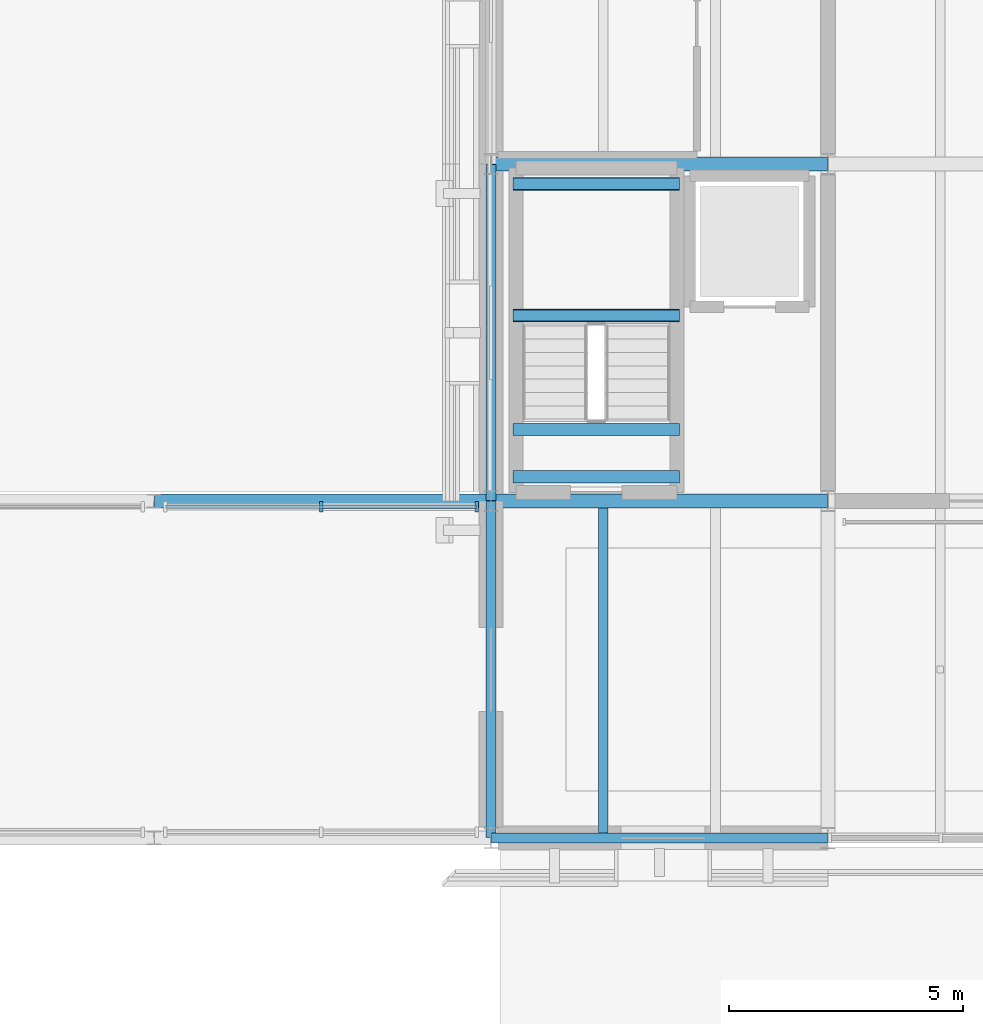
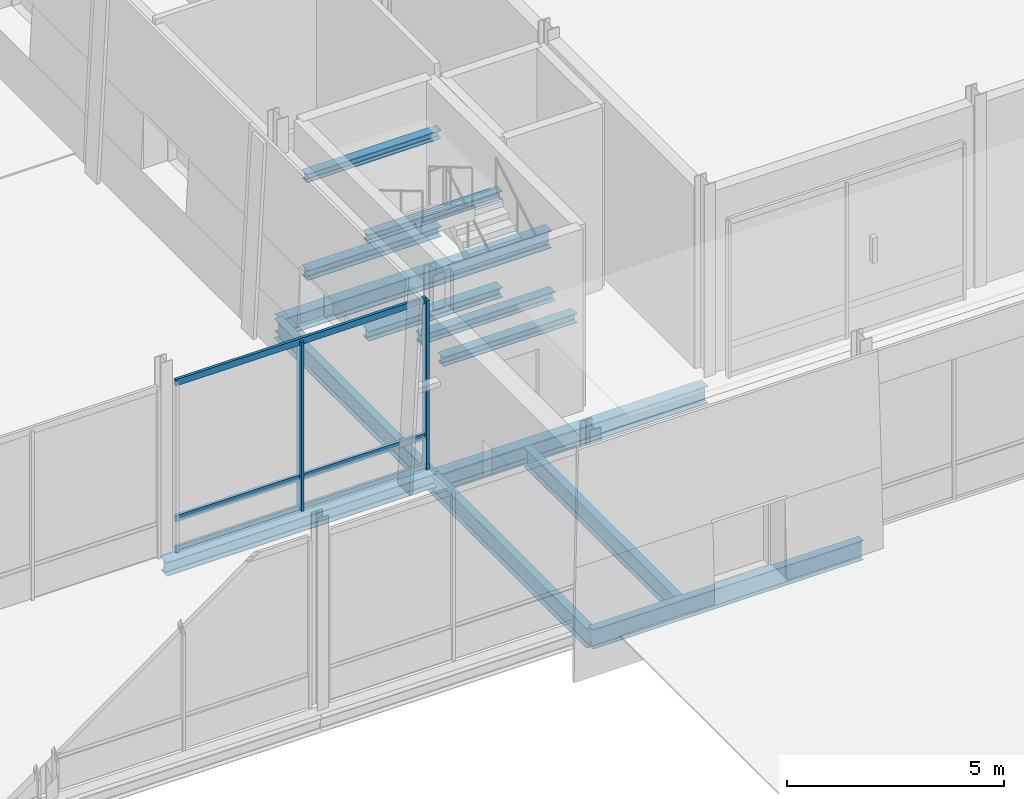
# One storey, part 36 of 120: 13 beams, 5 members, 1 element without a shape of its own.
"""IFC4 building model written with IfcOpenShell, lengths in metres."""

from ifc_helpers import new_model, si_unit, direction, frame, origin, origin_2d, place, context, subcontext, project, spatial, rectangle, i_section, extrude, material, layer, layer_set, material_profile, profile_set, type_object, element, aggregate, save


model = new_model("IFC4")

# Units and contexts
model_context = context("Model", 3, precision=1e-05, world=origin(), true_north=direction((0.0, 1.0)))
body_context = subcontext(model_context, "Body", "Model", "MODEL_VIEW")
ifc_project = project(units=[si_unit("LENGTHUNIT", "METRE"), si_unit("AREAUNIT", "SQUARE_METRE"), si_unit("VOLUMEUNIT", "CUBIC_METRE"), si_unit("PLANEANGLEUNIT", "RADIAN"), si_unit("MASSUNIT", "GRAM", prefix="KILO")], contexts=[model_context])

# Site, building, storey
site_placement = place(None, origin())
site = spatial("IfcSite", under=ifc_project, at=site_placement, CompositionType="ELEMENT")
building_placement = place(site_placement, origin())
building = spatial("IfcBuilding", under=site, at=building_placement, Name="Narikvali Park Central Library", CompositionType="ELEMENT")
storey_placement = place(building_placement, origin())
storey = spatial("IfcBuildingStorey", under=building, at=storey_placement, Name="L00", CompositionType="ELEMENT", Elevation=0.0)

# Beams
ifc_material_1 = material(Name="Steel S355", Category="steel")
ifc_material_profile_1 = material_profile(ifc_material_1, i_section(OverallWidth=0.2099609375, OverallDepth=0.550048828125, WebThickness=0.010986328125, FlangeThickness=0.01708984375, FilletRadius=0.02392578125, at=origin_2d()), Name="IPE 550")
ifc_profile_set_1 = profile_set([ifc_material_profile_1], Name="Steel S355")
beam_type_1 = type_object("IfcBeamType", Name="Assembly Floor Joist IPE550", PredefinedType="JOIST", material=ifc_profile_set_1)
beam_1_placement = place(storey_placement, frame((124.800048828125, 79.304931640625, -0.594970703125), z_axis=(0.0, 1.0, 0.0), x_axis=(-1.0, 0.0, 0.0)))
element("IfcBeam", 1, at=beam_1_placement, inside=storey, type_object=beam_type_1, Name="V3 L00 Composite Joist 1", PredefinedType="JOIST", context=body_context, shape_type="SweptSolid", body=[
    extrude(i_section(OverallWidth=0.2099609375, OverallDepth=0.550048828125, WebThickness=0.010986328125, FlangeThickness=0.01708984375, FilletRadius=0.02392578125, at=origin_2d()), origin(), (0.0, 0.0, 1.0), 6.945068359375),
])
ifc_material_profile_2 = material_profile(ifc_material_1, i_section(OverallWidth=0.300048828125, OverallDepth=0.389892578125, WebThickness=0.010986328125, FlangeThickness=0.01904296875, FilletRadius=0.027099609375, at=origin_2d()), Name="HEA 400")
ifc_profile_set_2 = profile_set([ifc_material_profile_2], Name="Steel S355")
beam_type_2 = type_object("IfcBeamType", Name="Colonnade Bridge Girder HEA400", PredefinedType="BEAM", material=ifc_profile_set_2)
beam_2_placement = place(storey_placement, frame((115.2099609375, 86.39990234375, -0.445068359375), z_axis=(1.0, 0.0, 0.0), x_axis=(0.0, 1.0, 0.0)))
element("IfcBeam", 2, at=beam_2_placement, inside=storey, type_object=beam_type_2, Name="BRG-3 L00 Sliding Bridge Girder 2-3", PredefinedType="BEAM", context=body_context, shape_type="SweptSolid", body=[
    extrude(i_section(OverallWidth=0.300048828125, OverallDepth=0.389892578125, WebThickness=0.010986328125, FlangeThickness=0.01904296875, FilletRadius=0.027099609375, at=origin_2d()), origin(), (0.0, 0.0, 1.0), 7.179931640625),
])
ifc_material_profile_3 = material_profile(ifc_material_1, i_section(OverallWidth=0.239990234375, OverallDepth=0.239990234375, WebThickness=0.010009765625, FlangeThickness=0.01708984375, FilletRadius=0.02099609375, at=origin_2d()), Name="HEB 240")
ifc_profile_set_3 = profile_set([ifc_material_profile_3], Name="Steel S355")
beam_type_3 = type_object("IfcBeamType", Name="Core Trimmer Girder HEB240", PredefinedType="BEAM", material=ifc_profile_set_3)
for number, where, z_axis, x_axis, name in (
    (3, (122.8701171875, 90.364990234375, 3.72998046875), (1.0, 0.0, 0.0), (0.0, 1.0, 0.0), "ST-05 L00 Landing Trimmer Beam 3-1"),
    (4, (122.8701171875, 93.179931640625, 3.72998046875), (1.0, 0.0, 0.0), (0.0, 1.0, 0.0), "ST-05 L00 Landing Trimmer Beam 3-2"),
):
    element("IfcBeam", number, at=place(storey_placement, frame(where, z_axis=z_axis, x_axis=x_axis)), inside=storey, type_object=beam_type_3, Name=name, PredefinedType="BEAM", context=body_context, shape_type="SweptSolid", body=[
        extrude(i_section(OverallWidth=0.239990234375, OverallDepth=0.239990234375, WebThickness=0.010009765625, FlangeThickness=0.01708984375, FilletRadius=0.02099609375, at=origin_2d()), origin(), (0.0, 0.0, 1.0), 3.559814453125),
    ])
ifc_material_profile_4 = material_profile(ifc_material_1, i_section(OverallWidth=0.260009765625, OverallDepth=0.260009765625, WebThickness=0.010009765625, FlangeThickness=0.017578125, FilletRadius=0.02392578125, at=origin_2d()), Name="HEB 260")
ifc_profile_set_4 = profile_set([ifc_material_profile_4], Name="Steel S355")
beam_type_4 = type_object("IfcBeamType", Name="Core Trimmer Girder HEB260", PredefinedType="BEAM", material=ifc_profile_set_4)
for number, where, z_axis, x_axis, name in (
    (5, (122.8701171875, 86.919921875, 2.3701171875), (1.0, 0.0, 0.0), (0.0, 1.0, 0.0), "ST-05 L00 Landing Trimmer Beam 2-1"),
    (6, (122.8701171875, 87.929931640625, 2.3701171875), (1.0, 0.0, 0.0), (0.0, 1.0, 0.0), "ST-05 L00 Landing Trimmer Beam 2-2"),
):
    element("IfcBeam", number, at=place(storey_placement, frame(where, z_axis=z_axis, x_axis=x_axis)), inside=storey, type_object=beam_type_4, Name=name, PredefinedType="BEAM", context=body_context, shape_type="SweptSolid", body=[
        extrude(i_section(OverallWidth=0.260009765625, OverallDepth=0.260009765625, WebThickness=0.010009765625, FlangeThickness=0.017578125, FilletRadius=0.02392578125, at=origin_2d()), origin(), (0.0, 0.0, 1.0), 3.559814453125),
    ])
ifc_material_profile_5 = material_profile(ifc_material_1, i_section(OverallWidth=0.280029296875, OverallDepth=0.280029296875, WebThickness=0.010498046875, FlangeThickness=0.01806640625, FilletRadius=0.02392578125, at=origin_2d()), Name="HEB 280")
ifc_profile_set_5 = profile_set([ifc_material_profile_5], Name="Steel S355")
beam_type_5 = type_object("IfcBeamType", Name="Core Trimmer Girder HEB280", PredefinedType="BEAM", material=ifc_profile_set_5)
for number, where, z_axis, x_axis, name in (
    (7, (122.8701171875, 90.364990234375, 1.010009765625), (1.0, 0.0, 0.0), (0.0, 1.0, 0.0), "ST-05 L00 Landing Trimmer Beam 1-1"),
    (8, (122.8701171875, 93.179931640625, 1.010009765625), (1.0, 0.0, 0.0), (0.0, 1.0, 0.0), "ST-05 L00 Landing Trimmer Beam 1-2"),
):
    element("IfcBeam", number, at=place(storey_placement, frame(where, z_axis=z_axis, x_axis=x_axis)), inside=storey, type_object=beam_type_5, Name=name, PredefinedType="BEAM", context=body_context, shape_type="SweptSolid", body=[
        extrude(i_section(OverallWidth=0.280029296875, OverallDepth=0.280029296875, WebThickness=0.010498046875, FlangeThickness=0.01806640625, FilletRadius=0.02392578125, at=origin_2d()), origin(), (0.0, 0.0, 1.0), 3.559814453125),
    ])

# Curtain wall, members
ifc_material_2 = material(Name="Anodised Bronze Aluminium", Category="aluminium")
ifc_layer = layer(ifc_material_2, 0.219970703125, Name="Anodised Bronze Aluminium")
ifc_layer_set = layer_set([ifc_layer], Name="Anodised Bronze Aluminium")
curtain_wall_type = type_object("IfcCurtainWallType", Name="Bridge Covered Passage Glazing System", PredefinedType="NOTDEFINED", material=ifc_layer_set)
curtain_wall_placement = place(storey_placement, origin())
curtain_wall = element("IfcCurtainWall", 9, at=curtain_wall_placement, inside=storey, type_object=curtain_wall_type, Name="Bridge Covered Passage Glazing System CW-BRG-3-L00-N3", PredefinedType="NOTDEFINED")
ifc_material_profile_6 = material_profile(ifc_material_2, rectangle(XDim=0.074951171875, YDim=0.219970703125, at=origin_2d()), Name="CW MULLION 75x220")
ifc_profile_set_6 = profile_set([ifc_material_profile_6], Name="Anodised Bronze Aluminium")
member_type_1 = type_object("IfcMemberType", Name="Curtain Wall Heavy Mullion 75x220", PredefinedType="MULLION", material=ifc_profile_set_6)
member_1_placement = place(storey_placement, frame((118.77001953125, 86.280029296875, -0.010009765625), z_axis=(0.0, 0.0, 1.0), x_axis=(1.0, 0.0, 0.0)))
member_1 = element("IfcMember", 10, at=member_1_placement, type_object=member_type_1, Name="CW-BRG-3-L00-N3 Mullion 01", PredefinedType="MULLION", context=body_context, shape_type="SweptSolid", body=[
    extrude(rectangle(XDim=0.074951171875, YDim=0.219970703125, at=origin_2d()), origin(), (0.0, 0.0, 1.0), 4.760009765625),
])
member_2_placement = place(storey_placement, frame((122.10009765625, 86.280029296875, -0.010009765625), z_axis=(0.0, 0.0, 1.0), x_axis=(1.0, 0.0, 0.0)))
member_2 = element("IfcMember", 11, at=member_2_placement, type_object=member_type_1, Name="CW-BRG-3-L00-N3 Mullion 02", PredefinedType="MULLION", context=body_context, shape_type="SweptSolid", body=[
    extrude(rectangle(XDim=0.074951171875, YDim=0.219970703125, at=origin_2d()), origin(), (0.0, 0.0, 1.0), 4.760009765625),
])
ifc_material_profile_7 = material_profile(ifc_material_2, rectangle(XDim=0.074951171875, YDim=0.179931640625, at=origin_2d()), Name="CW TRANSOM 75x180")
ifc_profile_set_7 = profile_set([ifc_material_profile_7], Name="Anodised Bronze Aluminium")
member_type_2 = type_object("IfcMemberType", Name="Curtain Wall Heavy Transom 75x180", PredefinedType="USERDEFINED", material=ifc_profile_set_7)
member_3_placement = place(storey_placement, frame((115.43994140625, 86.280029296875, 0.030029296875), z_axis=(1.0, 0.0, 0.0), x_axis=(0.0, 1.0, 0.0)))
member_3 = element("IfcMember", 12, at=member_3_placement, type_object=member_type_2, Name="CW-BRG-3-L00-N3 Transom 00", ObjectType="TRANSOM", PredefinedType="USERDEFINED", context=body_context, shape_type="SweptSolid", body=[
    extrude(rectangle(XDim=0.074951171875, YDim=0.179931640625, at=origin_2d()), origin(), (0.0, 0.0, 1.0), 6.66015625),
])
member_4_placement = place(storey_placement, frame((115.43994140625, 86.280029296875, 0.89990234375), z_axis=(1.0, 0.0, 0.0), x_axis=(0.0, 1.0, 0.0)))
member_4 = element("IfcMember", 13, at=member_4_placement, type_object=member_type_2, Name="CW-BRG-3-L00-N3 Transom 01", ObjectType="TRANSOM", PredefinedType="USERDEFINED", context=body_context, shape_type="SweptSolid", body=[
    extrude(rectangle(XDim=0.074951171875, YDim=0.179931640625, at=origin_2d()), origin(), (0.0, 0.0, 1.0), 6.66015625),
])
member_5_placement = place(storey_placement, frame((115.43994140625, 86.280029296875, 4.719970703125), z_axis=(1.0, 0.0, 0.0), x_axis=(0.0, 1.0, 0.0)))
member_5 = element("IfcMember", 14, at=member_5_placement, type_object=member_type_2, Name="CW-BRG-3-L00-N3 Transom 02", ObjectType="TRANSOM", PredefinedType="USERDEFINED", context=body_context, shape_type="SweptSolid", body=[
    extrude(rectangle(XDim=0.074951171875, YDim=0.179931640625, at=origin_2d()), origin(), (0.0, 0.0, 1.0), 6.66015625),
])
aggregate(curtain_wall, [member_1, member_2, member_3, member_4, member_5])

# Beams
ifc_material_profile_8 = material_profile(ifc_material_1, i_section(OverallWidth=0.2099609375, OverallDepth=0.550048828125, WebThickness=0.010986328125, FlangeThickness=0.01708984375, FilletRadius=0.02392578125, at=origin_2d()), Name="IPE 550")
ifc_profile_set_8 = profile_set([ifc_material_profile_8], Name="Steel S355")
beam_type_6 = type_object("IfcBeamType", Name="Perimeter Spandrel IPE550", PredefinedType="SPANDREL", material=ifc_profile_set_8)
for number, where, z_axis, x_axis, name in (
    (15, (122.407958984375, 79.199951171875, -0.594970703125), (1.0, 0.0, 0.0), (0.0, 1.0, 0.0), "V3 L00 Girder X"),
    (16, (122.39990234375, 79.2080078125, -0.594970703125), (0.0, 1.0, 0.0), (-1.0, 0.0, 0.0), "V3 L00 Girder Y"),
    (17, (122.39990234375, 86.407958984375, -0.594970703125), (0.0, 1.0, 0.0), (-1.0, 0.0, 0.0), "V3 L00 Girder Y"),
):
    element("IfcBeam", number, at=place(storey_placement, frame(where, z_axis=z_axis, x_axis=x_axis)), inside=storey, type_object=beam_type_6, Name=name, PredefinedType="SPANDREL", context=body_context, shape_type="SweptSolid", body=[
        extrude(i_section(OverallWidth=0.2099609375, OverallDepth=0.550048828125, WebThickness=0.010986328125, FlangeThickness=0.01708984375, FilletRadius=0.02392578125, at=origin_2d()), origin(), (0.0, 0.0, 1.0), 7.18408203125),
    ])
ifc_material_profile_9 = material_profile(ifc_material_1, i_section(OverallWidth=0.300048828125, OverallDepth=0.489990234375, WebThickness=0.011962890625, FlangeThickness=0.02294921875, FilletRadius=0.027099609375, at=origin_2d()), Name="HEA 500")
ifc_profile_set_9 = profile_set([ifc_material_profile_9], Name="Steel S355")
beam_type_7 = type_object("IfcBeamType", Name="Primary Girder HEA500", PredefinedType="BEAM", material=ifc_profile_set_9)
for number, where, z_axis, x_axis, name in (
    (18, (122.407958984375, 86.39990234375, -0.56494140625), (1.0, 0.0, 0.0), (0.0, 1.0, 0.0), "V3 L00 Girder X"),
    (19, (122.407958984375, 93.60009765625, -0.56494140625), (1.0, 0.0, 0.0), (0.0, 1.0, 0.0), "V3 L00 Girder X"),
):
    element("IfcBeam", number, at=place(storey_placement, frame(where, z_axis=z_axis, x_axis=x_axis)), inside=storey, type_object=beam_type_7, Name=name, PredefinedType="BEAM", context=body_context, shape_type="SweptSolid", body=[
        extrude(i_section(OverallWidth=0.300048828125, OverallDepth=0.489990234375, WebThickness=0.011962890625, FlangeThickness=0.02294921875, FilletRadius=0.027099609375, at=origin_2d()), origin(), (0.0, 0.0, 1.0), 7.18408203125),
    ])

save(model, "model.ifc")
